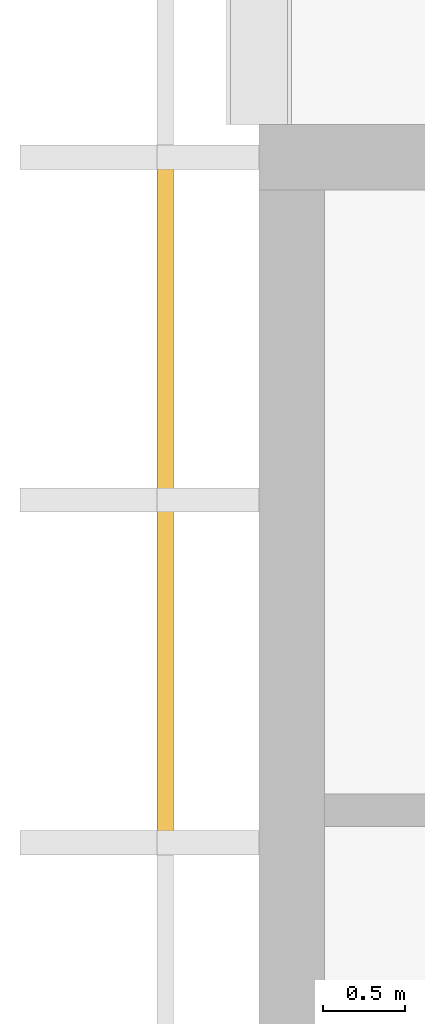
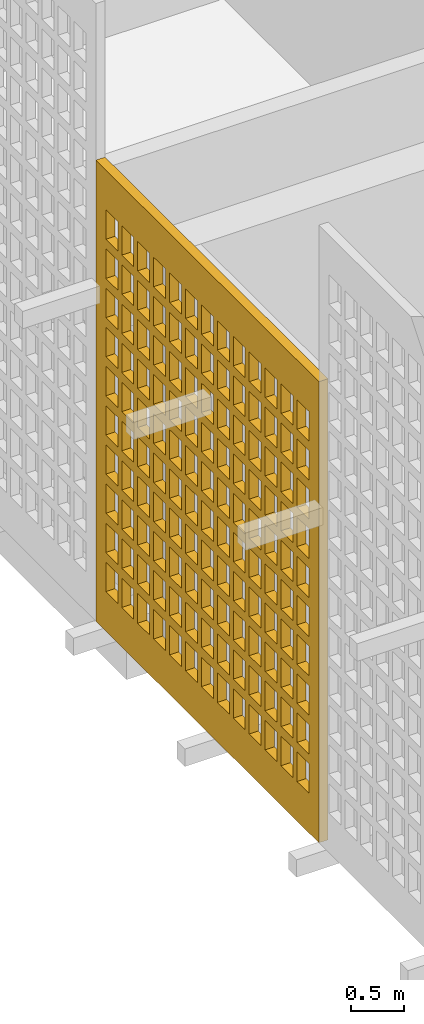
# One storey, part 15 of 23: 1 shading device, 1 opening.
"""IFC4 building model written with IfcOpenShell, lengths in metres."""

import ifcopenshell
import ifcopenshell.guid

model = None  # the IFC model being written
_history = None  # IfcOwnerHistory: only IFC2X3 demands one
_inside = {}  # id of a spatial element -> (the spatial element, [elements in it])
_under = {}  # id of a project, library or spatial element -> (it, [spatial elements below it])
_declared = {}  # id of a project -> (the project, [libraries it declares])
_typed = {}  # id of a type object -> (the type object, [elements of that type])
_made_of = {}  # id of a material, layer set ... -> (it, [elements and type objects made of it])


def new_model(schema):
    """Start an empty IFC model of exactly this schema.

    Asked for "IFC4X3", IfcOpenShell would pick the latest addendum, in which some entities
    have other attributes; the version numbers below select the first issue.
    IFC2X3 requires an IfcOwnerHistory on every rooted entity: one is made here for all.
    """
    global model, _history
    if schema == "IFC4X3":
        model = ifcopenshell.file(schema_version=(4, 3, 0, 0))
    else:
        model = ifcopenshell.file(schema=schema)
    _inside.clear()
    _under.clear()
    _declared.clear()
    _typed.clear()
    _made_of.clear()
    _history = None
    if model.schema == "IFC2X3":
        org = make("IfcOrganization", Name="unknown")
        user = make(
            "IfcPersonAndOrganization",
            ThePerson=make("IfcPerson", FamilyName="unknown"),
            TheOrganization=org,
        )
        app = make(
            "IfcApplication",
            ApplicationDeveloper=org,
            Version="unknown",
            ApplicationFullName="unknown",
            ApplicationIdentifier="unknown",
        )
        _history = make(
            "IfcOwnerHistory",
            OwningUser=user,
            OwningApplication=app,
            ChangeAction="ADDED",
            CreationDate=0,
        )
    return model


def make(cls, **values):
    """One entity of the class cls with the attributes given. An attribute that is None is left unset."""
    return model.create_entity(
        cls, **{name: value for name, value in values.items() if value is not None}
    )


def rooted(cls, **values):
    """An entity with a GlobalId (a new one), such as an element, a storey or a relation."""
    return make(cls, GlobalId=ifcopenshell.guid.new(), OwnerHistory=_history, **values)


def si_unit(unit_type, name, prefix=None):
    """IfcSIUnit, for example si_unit("LENGTHUNIT", "METRE", prefix="MILLI")."""
    return make("IfcSIUnit", UnitType=unit_type, Prefix=prefix, Name=name)


def assignment(units):
    """IfcUnitAssignment: the units of a project."""
    return None if units is None else make("IfcUnitAssignment", Units=units)


def point(xyz):
    """IfcCartesianPoint."""
    return None if xyz is None else make("IfcCartesianPoint", Coordinates=xyz)


def direction(xyz):
    """IfcDirection."""
    return None if xyz is None else make("IfcDirection", DirectionRatios=xyz)


def frame(location, z_axis=None, x_axis=None):
    """IfcAxis2Placement3D, a coordinate frame: its origin and axes. An axis left out is left unset."""
    return make(
        "IfcAxis2Placement3D",
        Location=point(location),
        Axis=direction(z_axis),
        RefDirection=direction(x_axis),
    )


def frame_2d(location, x_axis=None):
    """IfcAxis2Placement2D, a coordinate frame in the plane: its origin and x axis."""
    return make(
        "IfcAxis2Placement2D", Location=point(location), RefDirection=direction(x_axis)
    )


def origin():
    """The frame at (0, 0, 0) with its axes left unset."""
    return frame((0.0, 0.0, 0.0))


def origin_2d():
    """The frame at (0, 0) in the plane with its x axis left unset."""
    return frame_2d((0.0, 0.0))


def place(relative_to, where):
    """IfcLocalPlacement: puts the frame where relative to a parent placement (None: the world)."""
    return make(
        "IfcLocalPlacement", PlacementRelTo=relative_to, RelativePlacement=where
    )


def context(
    kind, dimensions, precision=None, world=None, true_north=None, identifier=None
):
    """IfcGeometricRepresentationContext, for example the 3D "Model" context."""
    return make(
        "IfcGeometricRepresentationContext",
        ContextIdentifier=identifier,
        ContextType=kind,
        CoordinateSpaceDimension=dimensions,
        Precision=precision,
        WorldCoordinateSystem=world,
        TrueNorth=true_north,
    )


def subcontext(parent, identifier, kind, view, scale=None):
    """IfcGeometricRepresentationSubContext, for example "Body" below "Model"."""
    return make(
        "IfcGeometricRepresentationSubContext",
        ContextIdentifier=identifier,
        ContextType=kind,
        ParentContext=parent,
        TargetScale=scale,
        TargetView=view,
    )


def project(units=None, contexts=None):
    """IfcProject with its units and contexts."""
    return rooted(
        "IfcProject",
        Name="project",
        RepresentationContexts=contexts,
        UnitsInContext=assignment(units),
    )


def spatial(cls, under=None, at=None, **own):
    """A site, building, storey or space (cls), placed at a placement, below another one or the project."""
    s = rooted(cls, ObjectPlacement=at, **own)
    if under is not None:
        _under.setdefault(under.id(), (under, []))[1].append(s)
    return s


def profile(cls, at=None, kind="AREA", **sizes):
    """A parametric profile (cls). Its sizes go by their IFC names, for example OverallWidth=200.0."""
    return make(cls, ProfileType=kind, Position=at, **sizes)


def rectangle(**sizes):
    """IfcRectangleProfileDef."""
    return profile("IfcRectangleProfileDef", **sizes)


def extrude(swept, where, along, depth):
    """IfcExtrudedAreaSolid: the profile swept, set in the frame where, extruded along a direction by depth."""
    return make(
        "IfcExtrudedAreaSolid",
        SweptArea=swept,
        Position=where,
        ExtrudedDirection=direction(along),
        Depth=depth,
    )


def shape(context_of_items, identifier, shape_type, items):
    """IfcShapeRepresentation: the items that make up one representation, for example the "Body"."""
    return make(
        "IfcShapeRepresentation",
        ContextOfItems=context_of_items,
        RepresentationIdentifier=identifier,
        RepresentationType=shape_type,
        Items=items,
    )


def material(Name=None, Category=None):
    """IfcMaterial."""
    return make("IfcMaterial", Name=Name, Category=Category)


def layer(
    of_material, thickness, ventilated=None, Name=None, Category=None, Priority=None
):
    """IfcMaterialLayer: one layer of a wall or slab, of a material (None: an air gap)."""
    return make(
        "IfcMaterialLayer",
        Material=of_material,
        LayerThickness=thickness,
        IsVentilated=ventilated,
        Name=Name,
        Category=Category,
        Priority=Priority,
    )


def layer_set(layers, Name=None):
    """IfcMaterialLayerSet."""
    return make("IfcMaterialLayerSet", MaterialLayers=layers, LayerSetName=Name)


def made_of(thing, what):
    """Note that an element or type object is made of a material, layer set ...; save() writes the relation."""
    if what is not None:
        _made_of.setdefault(what.id(), (what, []))[1].append(thing)
    return thing


def type_object(cls, material=None, **own):
    """A type object (cls), such as IfcWallType, which elements share."""
    return made_of(rooted(cls, **own), material)


def element(
    cls,
    number,
    at=None,
    inside=None,
    cuts=None,
    type_object=None,
    material=None,
    context=None,
    identifier="Body",
    shape_type=None,
    held_by="IfcProductDefinitionShape",
    body=None,
    shapes=None,
    **own,
):
    """One element of the class cls, such as IfcWall. Its Tag is "e" and its number.

    at: its placement. inside: the storey or other place that contains it. cuts: it is an
    opening in that element (IfcRelVoidsElement). A single representation is given by context,
    identifier, shape_type and body (its items); several are given by shapes. held_by: the class
    of the entity that holds the representations. save() writes the other relations.
    """
    e = rooted(cls, Tag="e%d" % number, ObjectPlacement=at, **own)
    if body is not None:
        shapes = [shape(context, identifier, shape_type, body)]
    if shapes is not None:
        e.Representation = make(held_by, Representations=shapes)
    if inside is not None:
        _inside.setdefault(inside.id(), (inside, []))[1].append(e)
    if cuts is not None:
        rooted(
            "IfcRelVoidsElement", RelatingBuildingElement=cuts, RelatedOpeningElement=e
        )
    if type_object is not None:
        _typed.setdefault(type_object.id(), (type_object, []))[1].append(e)
    return made_of(e, material)


def aggregate(whole, parts):
    """IfcRelAggregates: a whole, such as a stair, and the parts it consists of."""
    return rooted("IfcRelAggregates", RelatingObject=whole, RelatedObjects=parts)


def save(model, path):
    """Write the relations noted so far, then the file.

    IfcRelAggregates (storeys below a building ...), IfcRelContainedInSpatialStructure (elements
    in a storey), IfcRelDefinesByType, IfcRelAssociatesMaterial and IfcRelDeclares: one each for
    every whole, place, type object, material and project.
    """
    for whole, parts in _under.values():
        aggregate(whole, parts)
    for where, things in _inside.values():
        rooted(
            "IfcRelContainedInSpatialStructure",
            RelatedElements=things,
            RelatingStructure=where,
        )
    for kind, things in _typed.values():
        rooted("IfcRelDefinesByType", RelatedObjects=things, RelatingType=kind)
    for what, things in _made_of.values():
        rooted("IfcRelAssociatesMaterial", RelatedObjects=things, RelatingMaterial=what)
    for by, libraries in _declared.values():
        rooted("IfcRelDeclares", RelatingContext=by, RelatedDefinitions=libraries)
    model.write(path)


model = new_model("IFC4")

# Units and contexts
model_context = context("Model", 3, precision=1e-05, world=origin(), true_north=direction((0.0, 1.0)))
body_context = subcontext(model_context, "Body", "Model", "MODEL_VIEW")
ifc_project = project(units=[si_unit("LENGTHUNIT", "METRE"), si_unit("AREAUNIT", "SQUARE_METRE"), si_unit("VOLUMEUNIT", "CUBIC_METRE"), si_unit("PLANEANGLEUNIT", "RADIAN"), si_unit("MASSUNIT", "GRAM", prefix="KILO")], contexts=[model_context])

# Site, building, storey
site_placement = place(None, origin())
site = spatial("IfcSite", under=ifc_project, at=site_placement, CompositionType="ELEMENT")
building_placement = place(site_placement, origin())
building = spatial("IfcBuilding", under=site, at=building_placement, Name="Rulbaag Community and Learning Centre", CompositionType="ELEMENT")
storey_placement = place(building_placement, frame((0.0, 0.0, 64.800048828125)))
storey = spatial("IfcBuildingStorey", under=building, at=storey_placement, Name="L17", CompositionType="ELEMENT", Elevation=64.800048828125)

# Shading device, opening
ifc_material = material(Name="Concrete M40", Category="concrete")
ifc_layer = layer(ifc_material, 0.10009765625)
ifc_layer_set = layer_set([ifc_layer], Name="JC-4")
shading_device_type = type_object("IfcShadingDeviceType", Name="JC-4", PredefinedType="SHUTTER", material=ifc_layer_set)
shading_device_placement = place(storey_placement, frame((142.22509765625, 107.10009765625, 0.0), z_axis=(0.0, 0.0, 1.0), x_axis=(1.0, 0.0, 0.0)))
shading_device = element("IfcShadingDevice", 1, at=shading_device_placement, inside=storey, type_object=shading_device_type, Name="Jaali lantern screen", PredefinedType="SHUTTER", context=body_context, shape_type="SweptSolid", body=[
    extrude(rectangle(XDim=0.10009765625, YDim=4.199951171875, at=origin_2d()), origin(), (0.0, 0.0, 1.0), 5.300048828125),
])
opening_placement = place(shading_device_placement, origin())
element("IfcOpeningElement", 2, at=opening_placement, cuts=shading_device, Name="Perforation JC4", PredefinedType="OPENING", context=body_context, shape_type="SweptSolid", body=[
    extrude(rectangle(XDim=0.22509765625, YDim=0.340087890625, at=origin_2d()), frame((-0.06005859375, -1.800048828125, 0.625), z_axis=(1.0, 0.0, 0.0), x_axis=(0.0, 1.0, 0.0)), (0.0, 0.0, 1.0), 0.1201171875),
    extrude(rectangle(XDim=0.22509765625, YDim=0.340087890625, at=origin_2d()), frame((-0.06005859375, -1.5, 0.625), z_axis=(1.0, 0.0, 0.0), x_axis=(0.0, 1.0, 0.0)), (0.0, 0.0, 1.0), 0.1201171875),
    extrude(rectangle(XDim=0.22509765625, YDim=0.340087890625, at=origin_2d()), frame((-0.06005859375, -1.199951171875, 0.625), z_axis=(1.0, 0.0, 0.0), x_axis=(0.0, 1.0, 0.0)), (0.0, 0.0, 1.0), 0.1201171875),
    extrude(rectangle(XDim=0.22509765625, YDim=0.340087890625, at=origin_2d()), frame((-0.06005859375, -0.89990234375, 0.625), z_axis=(1.0, 0.0, 0.0), x_axis=(0.0, 1.0, 0.0)), (0.0, 0.0, 1.0), 0.1201171875),
    extrude(rectangle(XDim=0.22509765625, YDim=0.340087890625, at=origin_2d()), frame((-0.06005859375, -0.60009765625, 0.625), z_axis=(1.0, 0.0, 0.0), x_axis=(0.0, 1.0, 0.0)), (0.0, 0.0, 1.0), 0.1201171875),
    extrude(rectangle(XDim=0.22509765625, YDim=0.340087890625, at=origin_2d()), frame((-0.06005859375, -0.300048828125, 0.625), z_axis=(1.0, 0.0, 0.0), x_axis=(0.0, 1.0, 0.0)), (0.0, 0.0, 1.0), 0.1201171875),
    extrude(rectangle(XDim=0.22509765625, YDim=0.340087890625, at=origin_2d()), frame((-0.06005859375, 0.0, 0.625), z_axis=(1.0, 0.0, 0.0), x_axis=(0.0, 1.0, 0.0)), (0.0, 0.0, 1.0), 0.1201171875),
    extrude(rectangle(XDim=0.22509765625, YDim=0.340087890625, at=origin_2d()), frame((-0.06005859375, 0.300048828125, 0.625), z_axis=(1.0, 0.0, 0.0), x_axis=(0.0, 1.0, 0.0)), (0.0, 0.0, 1.0), 0.1201171875),
    extrude(rectangle(XDim=0.22509765625, YDim=0.340087890625, at=origin_2d()), frame((-0.06005859375, 0.60009765625, 0.625), z_axis=(1.0, 0.0, 0.0), x_axis=(0.0, 1.0, 0.0)), (0.0, 0.0, 1.0), 0.1201171875),
    extrude(rectangle(XDim=0.22509765625, YDim=0.340087890625, at=origin_2d()), frame((-0.06005859375, 0.89990234375, 0.625), z_axis=(1.0, 0.0, 0.0), x_axis=(0.0, 1.0, 0.0)), (0.0, 0.0, 1.0), 0.1201171875),
    extrude(rectangle(XDim=0.22509765625, YDim=0.340087890625, at=origin_2d()), frame((-0.06005859375, 1.199951171875, 0.625), z_axis=(1.0, 0.0, 0.0), x_axis=(0.0, 1.0, 0.0)), (0.0, 0.0, 1.0), 0.1201171875),
    extrude(rectangle(XDim=0.22509765625, YDim=0.340087890625, at=origin_2d()), frame((-0.06005859375, 1.5, 0.625), z_axis=(1.0, 0.0, 0.0), x_axis=(0.0, 1.0, 0.0)), (0.0, 0.0, 1.0), 0.1201171875),
    extrude(rectangle(XDim=0.22509765625, YDim=0.340087890625, at=origin_2d()), frame((-0.06005859375, 1.800048828125, 0.625), z_axis=(1.0, 0.0, 0.0), x_axis=(0.0, 1.0, 0.0)), (0.0, 0.0, 1.0), 0.1201171875),
    extrude(rectangle(XDim=0.22509765625, YDim=0.340087890625, at=origin_2d()), frame((-0.06005859375, -1.800048828125, 1.074951171875), z_axis=(1.0, 0.0, 0.0), x_axis=(0.0, 1.0, 0.0)), (0.0, 0.0, 1.0), 0.1201171875),
    extrude(rectangle(XDim=0.22509765625, YDim=0.340087890625, at=origin_2d()), frame((-0.06005859375, -1.5, 1.074951171875), z_axis=(1.0, 0.0, 0.0), x_axis=(0.0, 1.0, 0.0)), (0.0, 0.0, 1.0), 0.1201171875),
    extrude(rectangle(XDim=0.22509765625, YDim=0.340087890625, at=origin_2d()), frame((-0.06005859375, -1.199951171875, 1.074951171875), z_axis=(1.0, 0.0, 0.0), x_axis=(0.0, 1.0, 0.0)), (0.0, 0.0, 1.0), 0.1201171875),
    extrude(rectangle(XDim=0.22509765625, YDim=0.340087890625, at=origin_2d()), frame((-0.06005859375, -0.89990234375, 1.074951171875), z_axis=(1.0, 0.0, 0.0), x_axis=(0.0, 1.0, 0.0)), (0.0, 0.0, 1.0), 0.1201171875),
    extrude(rectangle(XDim=0.22509765625, YDim=0.340087890625, at=origin_2d()), frame((-0.06005859375, -0.60009765625, 1.074951171875), z_axis=(1.0, 0.0, 0.0), x_axis=(0.0, 1.0, 0.0)), (0.0, 0.0, 1.0), 0.1201171875),
    extrude(rectangle(XDim=0.22509765625, YDim=0.340087890625, at=origin_2d()), frame((-0.06005859375, -0.300048828125, 1.074951171875), z_axis=(1.0, 0.0, 0.0), x_axis=(0.0, 1.0, 0.0)), (0.0, 0.0, 1.0), 0.1201171875),
    extrude(rectangle(XDim=0.22509765625, YDim=0.340087890625, at=origin_2d()), frame((-0.06005859375, 0.0, 1.074951171875), z_axis=(1.0, 0.0, 0.0), x_axis=(0.0, 1.0, 0.0)), (0.0, 0.0, 1.0), 0.1201171875),
    extrude(rectangle(XDim=0.22509765625, YDim=0.340087890625, at=origin_2d()), frame((-0.06005859375, 0.300048828125, 1.074951171875), z_axis=(1.0, 0.0, 0.0), x_axis=(0.0, 1.0, 0.0)), (0.0, 0.0, 1.0), 0.1201171875),
    extrude(rectangle(XDim=0.22509765625, YDim=0.340087890625, at=origin_2d()), frame((-0.06005859375, 0.60009765625, 1.074951171875), z_axis=(1.0, 0.0, 0.0), x_axis=(0.0, 1.0, 0.0)), (0.0, 0.0, 1.0), 0.1201171875),
    extrude(rectangle(XDim=0.22509765625, YDim=0.340087890625, at=origin_2d()), frame((-0.06005859375, 0.89990234375, 1.074951171875), z_axis=(1.0, 0.0, 0.0), x_axis=(0.0, 1.0, 0.0)), (0.0, 0.0, 1.0), 0.1201171875),
    extrude(rectangle(XDim=0.22509765625, YDim=0.340087890625, at=origin_2d()), frame((-0.06005859375, 1.199951171875, 1.074951171875), z_axis=(1.0, 0.0, 0.0), x_axis=(0.0, 1.0, 0.0)), (0.0, 0.0, 1.0), 0.1201171875),
    extrude(rectangle(XDim=0.22509765625, YDim=0.340087890625, at=origin_2d()), frame((-0.06005859375, 1.5, 1.074951171875), z_axis=(1.0, 0.0, 0.0), x_axis=(0.0, 1.0, 0.0)), (0.0, 0.0, 1.0), 0.1201171875),
    extrude(rectangle(XDim=0.22509765625, YDim=0.340087890625, at=origin_2d()), frame((-0.06005859375, 1.800048828125, 1.074951171875), z_axis=(1.0, 0.0, 0.0), x_axis=(0.0, 1.0, 0.0)), (0.0, 0.0, 1.0), 0.1201171875),
    extrude(rectangle(XDim=0.22509765625, YDim=0.340087890625, at=origin_2d()), frame((-0.06005859375, -1.800048828125, 1.52490234375), z_axis=(1.0, 0.0, 0.0), x_axis=(0.0, 1.0, 0.0)), (0.0, 0.0, 1.0), 0.1201171875),
    extrude(rectangle(XDim=0.22509765625, YDim=0.340087890625, at=origin_2d()), frame((-0.06005859375, -1.5, 1.52490234375), z_axis=(1.0, 0.0, 0.0), x_axis=(0.0, 1.0, 0.0)), (0.0, 0.0, 1.0), 0.1201171875),
    extrude(rectangle(XDim=0.22509765625, YDim=0.340087890625, at=origin_2d()), frame((-0.06005859375, -1.199951171875, 1.52490234375), z_axis=(1.0, 0.0, 0.0), x_axis=(0.0, 1.0, 0.0)), (0.0, 0.0, 1.0), 0.1201171875),
    extrude(rectangle(XDim=0.22509765625, YDim=0.340087890625, at=origin_2d()), frame((-0.06005859375, -0.89990234375, 1.52490234375), z_axis=(1.0, 0.0, 0.0), x_axis=(0.0, 1.0, 0.0)), (0.0, 0.0, 1.0), 0.1201171875),
    extrude(rectangle(XDim=0.22509765625, YDim=0.340087890625, at=origin_2d()), frame((-0.06005859375, -0.60009765625, 1.52490234375), z_axis=(1.0, 0.0, 0.0), x_axis=(0.0, 1.0, 0.0)), (0.0, 0.0, 1.0), 0.1201171875),
    extrude(rectangle(XDim=0.22509765625, YDim=0.340087890625, at=origin_2d()), frame((-0.06005859375, -0.300048828125, 1.52490234375), z_axis=(1.0, 0.0, 0.0), x_axis=(0.0, 1.0, 0.0)), (0.0, 0.0, 1.0), 0.1201171875),
    extrude(rectangle(XDim=0.22509765625, YDim=0.340087890625, at=origin_2d()), frame((-0.06005859375, 0.0, 1.52490234375), z_axis=(1.0, 0.0, 0.0), x_axis=(0.0, 1.0, 0.0)), (0.0, 0.0, 1.0), 0.1201171875),
    extrude(rectangle(XDim=0.22509765625, YDim=0.340087890625, at=origin_2d()), frame((-0.06005859375, 0.300048828125, 1.52490234375), z_axis=(1.0, 0.0, 0.0), x_axis=(0.0, 1.0, 0.0)), (0.0, 0.0, 1.0), 0.1201171875),
    extrude(rectangle(XDim=0.22509765625, YDim=0.340087890625, at=origin_2d()), frame((-0.06005859375, 0.60009765625, 1.52490234375), z_axis=(1.0, 0.0, 0.0), x_axis=(0.0, 1.0, 0.0)), (0.0, 0.0, 1.0), 0.1201171875),
    extrude(rectangle(XDim=0.22509765625, YDim=0.340087890625, at=origin_2d()), frame((-0.06005859375, 0.89990234375, 1.52490234375), z_axis=(1.0, 0.0, 0.0), x_axis=(0.0, 1.0, 0.0)), (0.0, 0.0, 1.0), 0.1201171875),
    extrude(rectangle(XDim=0.22509765625, YDim=0.340087890625, at=origin_2d()), frame((-0.06005859375, 1.199951171875, 1.52490234375), z_axis=(1.0, 0.0, 0.0), x_axis=(0.0, 1.0, 0.0)), (0.0, 0.0, 1.0), 0.1201171875),
    extrude(rectangle(XDim=0.22509765625, YDim=0.340087890625, at=origin_2d()), frame((-0.06005859375, 1.5, 1.52490234375), z_axis=(1.0, 0.0, 0.0), x_axis=(0.0, 1.0, 0.0)), (0.0, 0.0, 1.0), 0.1201171875),
    extrude(rectangle(XDim=0.22509765625, YDim=0.340087890625, at=origin_2d()), frame((-0.06005859375, 1.800048828125, 1.52490234375), z_axis=(1.0, 0.0, 0.0), x_axis=(0.0, 1.0, 0.0)), (0.0, 0.0, 1.0), 0.1201171875),
    extrude(rectangle(XDim=0.22509765625, YDim=0.340087890625, at=origin_2d()), frame((-0.06005859375, -1.800048828125, 1.97509765625), z_axis=(1.0, 0.0, 0.0), x_axis=(0.0, 1.0, 0.0)), (0.0, 0.0, 1.0), 0.1201171875),
    extrude(rectangle(XDim=0.22509765625, YDim=0.340087890625, at=origin_2d()), frame((-0.06005859375, -1.5, 1.97509765625), z_axis=(1.0, 0.0, 0.0), x_axis=(0.0, 1.0, 0.0)), (0.0, 0.0, 1.0), 0.1201171875),
    extrude(rectangle(XDim=0.22509765625, YDim=0.340087890625, at=origin_2d()), frame((-0.06005859375, -1.199951171875, 1.97509765625), z_axis=(1.0, 0.0, 0.0), x_axis=(0.0, 1.0, 0.0)), (0.0, 0.0, 1.0), 0.1201171875),
    extrude(rectangle(XDim=0.22509765625, YDim=0.340087890625, at=origin_2d()), frame((-0.06005859375, -0.89990234375, 1.97509765625), z_axis=(1.0, 0.0, 0.0), x_axis=(0.0, 1.0, 0.0)), (0.0, 0.0, 1.0), 0.1201171875),
    extrude(rectangle(XDim=0.22509765625, YDim=0.340087890625, at=origin_2d()), frame((-0.06005859375, -0.60009765625, 1.97509765625), z_axis=(1.0, 0.0, 0.0), x_axis=(0.0, 1.0, 0.0)), (0.0, 0.0, 1.0), 0.1201171875),
    extrude(rectangle(XDim=0.22509765625, YDim=0.340087890625, at=origin_2d()), frame((-0.06005859375, -0.300048828125, 1.97509765625), z_axis=(1.0, 0.0, 0.0), x_axis=(0.0, 1.0, 0.0)), (0.0, 0.0, 1.0), 0.1201171875),
    extrude(rectangle(XDim=0.22509765625, YDim=0.340087890625, at=origin_2d()), frame((-0.06005859375, 0.0, 1.97509765625), z_axis=(1.0, 0.0, 0.0), x_axis=(0.0, 1.0, 0.0)), (0.0, 0.0, 1.0), 0.1201171875),
    extrude(rectangle(XDim=0.22509765625, YDim=0.340087890625, at=origin_2d()), frame((-0.06005859375, 0.300048828125, 1.97509765625), z_axis=(1.0, 0.0, 0.0), x_axis=(0.0, 1.0, 0.0)), (0.0, 0.0, 1.0), 0.1201171875),
    extrude(rectangle(XDim=0.22509765625, YDim=0.340087890625, at=origin_2d()), frame((-0.06005859375, 0.60009765625, 1.97509765625), z_axis=(1.0, 0.0, 0.0), x_axis=(0.0, 1.0, 0.0)), (0.0, 0.0, 1.0), 0.1201171875),
    extrude(rectangle(XDim=0.22509765625, YDim=0.340087890625, at=origin_2d()), frame((-0.06005859375, 0.89990234375, 1.97509765625), z_axis=(1.0, 0.0, 0.0), x_axis=(0.0, 1.0, 0.0)), (0.0, 0.0, 1.0), 0.1201171875),
    extrude(rectangle(XDim=0.22509765625, YDim=0.340087890625, at=origin_2d()), frame((-0.06005859375, 1.199951171875, 1.97509765625), z_axis=(1.0, 0.0, 0.0), x_axis=(0.0, 1.0, 0.0)), (0.0, 0.0, 1.0), 0.1201171875),
    extrude(rectangle(XDim=0.22509765625, YDim=0.340087890625, at=origin_2d()), frame((-0.06005859375, 1.5, 1.97509765625), z_axis=(1.0, 0.0, 0.0), x_axis=(0.0, 1.0, 0.0)), (0.0, 0.0, 1.0), 0.1201171875),
    extrude(rectangle(XDim=0.22509765625, YDim=0.340087890625, at=origin_2d()), frame((-0.06005859375, 1.800048828125, 1.97509765625), z_axis=(1.0, 0.0, 0.0), x_axis=(0.0, 1.0, 0.0)), (0.0, 0.0, 1.0), 0.1201171875),
    extrude(rectangle(XDim=0.22509765625, YDim=0.340087890625, at=origin_2d()), frame((-0.06005859375, -1.800048828125, 2.425048828125), z_axis=(1.0, 0.0, 0.0), x_axis=(0.0, 1.0, 0.0)), (0.0, 0.0, 1.0), 0.1201171875),
    extrude(rectangle(XDim=0.22509765625, YDim=0.340087890625, at=origin_2d()), frame((-0.06005859375, -1.5, 2.425048828125), z_axis=(1.0, 0.0, 0.0), x_axis=(0.0, 1.0, 0.0)), (0.0, 0.0, 1.0), 0.1201171875),
    extrude(rectangle(XDim=0.22509765625, YDim=0.340087890625, at=origin_2d()), frame((-0.06005859375, -1.199951171875, 2.425048828125), z_axis=(1.0, 0.0, 0.0), x_axis=(0.0, 1.0, 0.0)), (0.0, 0.0, 1.0), 0.1201171875),
    extrude(rectangle(XDim=0.22509765625, YDim=0.340087890625, at=origin_2d()), frame((-0.06005859375, -0.89990234375, 2.425048828125), z_axis=(1.0, 0.0, 0.0), x_axis=(0.0, 1.0, 0.0)), (0.0, 0.0, 1.0), 0.1201171875),
    extrude(rectangle(XDim=0.22509765625, YDim=0.340087890625, at=origin_2d()), frame((-0.06005859375, -0.60009765625, 2.425048828125), z_axis=(1.0, 0.0, 0.0), x_axis=(0.0, 1.0, 0.0)), (0.0, 0.0, 1.0), 0.1201171875),
    extrude(rectangle(XDim=0.22509765625, YDim=0.340087890625, at=origin_2d()), frame((-0.06005859375, -0.300048828125, 2.425048828125), z_axis=(1.0, 0.0, 0.0), x_axis=(0.0, 1.0, 0.0)), (0.0, 0.0, 1.0), 0.1201171875),
    extrude(rectangle(XDim=0.22509765625, YDim=0.340087890625, at=origin_2d()), frame((-0.06005859375, 0.0, 2.425048828125), z_axis=(1.0, 0.0, 0.0), x_axis=(0.0, 1.0, 0.0)), (0.0, 0.0, 1.0), 0.1201171875),
    extrude(rectangle(XDim=0.22509765625, YDim=0.340087890625, at=origin_2d()), frame((-0.06005859375, 0.300048828125, 2.425048828125), z_axis=(1.0, 0.0, 0.0), x_axis=(0.0, 1.0, 0.0)), (0.0, 0.0, 1.0), 0.1201171875),
    extrude(rectangle(XDim=0.22509765625, YDim=0.340087890625, at=origin_2d()), frame((-0.06005859375, 0.60009765625, 2.425048828125), z_axis=(1.0, 0.0, 0.0), x_axis=(0.0, 1.0, 0.0)), (0.0, 0.0, 1.0), 0.1201171875),
    extrude(rectangle(XDim=0.22509765625, YDim=0.340087890625, at=origin_2d()), frame((-0.06005859375, 0.89990234375, 2.425048828125), z_axis=(1.0, 0.0, 0.0), x_axis=(0.0, 1.0, 0.0)), (0.0, 0.0, 1.0), 0.1201171875),
    extrude(rectangle(XDim=0.22509765625, YDim=0.340087890625, at=origin_2d()), frame((-0.06005859375, 1.199951171875, 2.425048828125), z_axis=(1.0, 0.0, 0.0), x_axis=(0.0, 1.0, 0.0)), (0.0, 0.0, 1.0), 0.1201171875),
    extrude(rectangle(XDim=0.22509765625, YDim=0.340087890625, at=origin_2d()), frame((-0.06005859375, 1.5, 2.425048828125), z_axis=(1.0, 0.0, 0.0), x_axis=(0.0, 1.0, 0.0)), (0.0, 0.0, 1.0), 0.1201171875),
    extrude(rectangle(XDim=0.22509765625, YDim=0.340087890625, at=origin_2d()), frame((-0.06005859375, 1.800048828125, 2.425048828125), z_axis=(1.0, 0.0, 0.0), x_axis=(0.0, 1.0, 0.0)), (0.0, 0.0, 1.0), 0.1201171875),
    extrude(rectangle(XDim=0.22509765625, YDim=0.340087890625, at=origin_2d()), frame((-0.06005859375, -1.800048828125, 2.875), z_axis=(1.0, 0.0, 0.0), x_axis=(0.0, 1.0, 0.0)), (0.0, 0.0, 1.0), 0.1201171875),
    extrude(rectangle(XDim=0.22509765625, YDim=0.340087890625, at=origin_2d()), frame((-0.06005859375, -1.5, 2.875), z_axis=(1.0, 0.0, 0.0), x_axis=(0.0, 1.0, 0.0)), (0.0, 0.0, 1.0), 0.1201171875),
    extrude(rectangle(XDim=0.22509765625, YDim=0.340087890625, at=origin_2d()), frame((-0.06005859375, -1.199951171875, 2.875), z_axis=(1.0, 0.0, 0.0), x_axis=(0.0, 1.0, 0.0)), (0.0, 0.0, 1.0), 0.1201171875),
    extrude(rectangle(XDim=0.22509765625, YDim=0.340087890625, at=origin_2d()), frame((-0.06005859375, -0.89990234375, 2.875), z_axis=(1.0, 0.0, 0.0), x_axis=(0.0, 1.0, 0.0)), (0.0, 0.0, 1.0), 0.1201171875),
    extrude(rectangle(XDim=0.22509765625, YDim=0.340087890625, at=origin_2d()), frame((-0.06005859375, -0.60009765625, 2.875), z_axis=(1.0, 0.0, 0.0), x_axis=(0.0, 1.0, 0.0)), (0.0, 0.0, 1.0), 0.1201171875),
    extrude(rectangle(XDim=0.22509765625, YDim=0.340087890625, at=origin_2d()), frame((-0.06005859375, -0.300048828125, 2.875), z_axis=(1.0, 0.0, 0.0), x_axis=(0.0, 1.0, 0.0)), (0.0, 0.0, 1.0), 0.1201171875),
    extrude(rectangle(XDim=0.22509765625, YDim=0.340087890625, at=origin_2d()), frame((-0.06005859375, 0.0, 2.875), z_axis=(1.0, 0.0, 0.0), x_axis=(0.0, 1.0, 0.0)), (0.0, 0.0, 1.0), 0.1201171875),
    extrude(rectangle(XDim=0.22509765625, YDim=0.340087890625, at=origin_2d()), frame((-0.06005859375, 0.300048828125, 2.875), z_axis=(1.0, 0.0, 0.0), x_axis=(0.0, 1.0, 0.0)), (0.0, 0.0, 1.0), 0.1201171875),
    extrude(rectangle(XDim=0.22509765625, YDim=0.340087890625, at=origin_2d()), frame((-0.06005859375, 0.60009765625, 2.875), z_axis=(1.0, 0.0, 0.0), x_axis=(0.0, 1.0, 0.0)), (0.0, 0.0, 1.0), 0.1201171875),
    extrude(rectangle(XDim=0.22509765625, YDim=0.340087890625, at=origin_2d()), frame((-0.06005859375, 0.89990234375, 2.875), z_axis=(1.0, 0.0, 0.0), x_axis=(0.0, 1.0, 0.0)), (0.0, 0.0, 1.0), 0.1201171875),
    extrude(rectangle(XDim=0.22509765625, YDim=0.340087890625, at=origin_2d()), frame((-0.06005859375, 1.199951171875, 2.875), z_axis=(1.0, 0.0, 0.0), x_axis=(0.0, 1.0, 0.0)), (0.0, 0.0, 1.0), 0.1201171875),
    extrude(rectangle(XDim=0.22509765625, YDim=0.340087890625, at=origin_2d()), frame((-0.06005859375, 1.5, 2.875), z_axis=(1.0, 0.0, 0.0), x_axis=(0.0, 1.0, 0.0)), (0.0, 0.0, 1.0), 0.1201171875),
    extrude(rectangle(XDim=0.22509765625, YDim=0.340087890625, at=origin_2d()), frame((-0.06005859375, 1.800048828125, 2.875), z_axis=(1.0, 0.0, 0.0), x_axis=(0.0, 1.0, 0.0)), (0.0, 0.0, 1.0), 0.1201171875),
    extrude(rectangle(XDim=0.22509765625, YDim=0.340087890625, at=origin_2d()), frame((-0.06005859375, -1.800048828125, 3.324951171875), z_axis=(1.0, 0.0, 0.0), x_axis=(0.0, 1.0, 0.0)), (0.0, 0.0, 1.0), 0.1201171875),
    extrude(rectangle(XDim=0.22509765625, YDim=0.340087890625, at=origin_2d()), frame((-0.06005859375, -1.5, 3.324951171875), z_axis=(1.0, 0.0, 0.0), x_axis=(0.0, 1.0, 0.0)), (0.0, 0.0, 1.0), 0.1201171875),
    extrude(rectangle(XDim=0.22509765625, YDim=0.340087890625, at=origin_2d()), frame((-0.06005859375, -1.199951171875, 3.324951171875), z_axis=(1.0, 0.0, 0.0), x_axis=(0.0, 1.0, 0.0)), (0.0, 0.0, 1.0), 0.1201171875),
    extrude(rectangle(XDim=0.22509765625, YDim=0.340087890625, at=origin_2d()), frame((-0.06005859375, -0.89990234375, 3.324951171875), z_axis=(1.0, 0.0, 0.0), x_axis=(0.0, 1.0, 0.0)), (0.0, 0.0, 1.0), 0.1201171875),
    extrude(rectangle(XDim=0.22509765625, YDim=0.340087890625, at=origin_2d()), frame((-0.06005859375, -0.60009765625, 3.324951171875), z_axis=(1.0, 0.0, 0.0), x_axis=(0.0, 1.0, 0.0)), (0.0, 0.0, 1.0), 0.1201171875),
    extrude(rectangle(XDim=0.22509765625, YDim=0.340087890625, at=origin_2d()), frame((-0.06005859375, -0.300048828125, 3.324951171875), z_axis=(1.0, 0.0, 0.0), x_axis=(0.0, 1.0, 0.0)), (0.0, 0.0, 1.0), 0.1201171875),
    extrude(rectangle(XDim=0.22509765625, YDim=0.340087890625, at=origin_2d()), frame((-0.06005859375, 0.0, 3.324951171875), z_axis=(1.0, 0.0, 0.0), x_axis=(0.0, 1.0, 0.0)), (0.0, 0.0, 1.0), 0.1201171875),
    extrude(rectangle(XDim=0.22509765625, YDim=0.340087890625, at=origin_2d()), frame((-0.06005859375, 0.300048828125, 3.324951171875), z_axis=(1.0, 0.0, 0.0), x_axis=(0.0, 1.0, 0.0)), (0.0, 0.0, 1.0), 0.1201171875),
    extrude(rectangle(XDim=0.22509765625, YDim=0.340087890625, at=origin_2d()), frame((-0.06005859375, 0.60009765625, 3.324951171875), z_axis=(1.0, 0.0, 0.0), x_axis=(0.0, 1.0, 0.0)), (0.0, 0.0, 1.0), 0.1201171875),
    extrude(rectangle(XDim=0.22509765625, YDim=0.340087890625, at=origin_2d()), frame((-0.06005859375, 0.89990234375, 3.324951171875), z_axis=(1.0, 0.0, 0.0), x_axis=(0.0, 1.0, 0.0)), (0.0, 0.0, 1.0), 0.1201171875),
    extrude(rectangle(XDim=0.22509765625, YDim=0.340087890625, at=origin_2d()), frame((-0.06005859375, 1.199951171875, 3.324951171875), z_axis=(1.0, 0.0, 0.0), x_axis=(0.0, 1.0, 0.0)), (0.0, 0.0, 1.0), 0.1201171875),
    extrude(rectangle(XDim=0.22509765625, YDim=0.340087890625, at=origin_2d()), frame((-0.06005859375, 1.5, 3.324951171875), z_axis=(1.0, 0.0, 0.0), x_axis=(0.0, 1.0, 0.0)), (0.0, 0.0, 1.0), 0.1201171875),
    extrude(rectangle(XDim=0.22509765625, YDim=0.340087890625, at=origin_2d()), frame((-0.06005859375, 1.800048828125, 3.324951171875), z_axis=(1.0, 0.0, 0.0), x_axis=(0.0, 1.0, 0.0)), (0.0, 0.0, 1.0), 0.1201171875),
    extrude(rectangle(XDim=0.22509765625, YDim=0.340087890625, at=origin_2d()), frame((-0.06005859375, -1.800048828125, 3.77490234375), z_axis=(1.0, 0.0, 0.0), x_axis=(0.0, 1.0, 0.0)), (0.0, 0.0, 1.0), 0.1201171875),
    extrude(rectangle(XDim=0.22509765625, YDim=0.340087890625, at=origin_2d()), frame((-0.06005859375, -1.5, 3.77490234375), z_axis=(1.0, 0.0, 0.0), x_axis=(0.0, 1.0, 0.0)), (0.0, 0.0, 1.0), 0.1201171875),
    extrude(rectangle(XDim=0.22509765625, YDim=0.340087890625, at=origin_2d()), frame((-0.06005859375, -1.199951171875, 3.77490234375), z_axis=(1.0, 0.0, 0.0), x_axis=(0.0, 1.0, 0.0)), (0.0, 0.0, 1.0), 0.1201171875),
    extrude(rectangle(XDim=0.22509765625, YDim=0.340087890625, at=origin_2d()), frame((-0.06005859375, -0.89990234375, 3.77490234375), z_axis=(1.0, 0.0, 0.0), x_axis=(0.0, 1.0, 0.0)), (0.0, 0.0, 1.0), 0.1201171875),
    extrude(rectangle(XDim=0.22509765625, YDim=0.340087890625, at=origin_2d()), frame((-0.06005859375, -0.60009765625, 3.77490234375), z_axis=(1.0, 0.0, 0.0), x_axis=(0.0, 1.0, 0.0)), (0.0, 0.0, 1.0), 0.1201171875),
    extrude(rectangle(XDim=0.22509765625, YDim=0.340087890625, at=origin_2d()), frame((-0.06005859375, -0.300048828125, 3.77490234375), z_axis=(1.0, 0.0, 0.0), x_axis=(0.0, 1.0, 0.0)), (0.0, 0.0, 1.0), 0.1201171875),
    extrude(rectangle(XDim=0.22509765625, YDim=0.340087890625, at=origin_2d()), frame((-0.06005859375, 0.0, 3.77490234375), z_axis=(1.0, 0.0, 0.0), x_axis=(0.0, 1.0, 0.0)), (0.0, 0.0, 1.0), 0.1201171875),
    extrude(rectangle(XDim=0.22509765625, YDim=0.340087890625, at=origin_2d()), frame((-0.06005859375, 0.300048828125, 3.77490234375), z_axis=(1.0, 0.0, 0.0), x_axis=(0.0, 1.0, 0.0)), (0.0, 0.0, 1.0), 0.1201171875),
    extrude(rectangle(XDim=0.22509765625, YDim=0.340087890625, at=origin_2d()), frame((-0.06005859375, 0.60009765625, 3.77490234375), z_axis=(1.0, 0.0, 0.0), x_axis=(0.0, 1.0, 0.0)), (0.0, 0.0, 1.0), 0.1201171875),
    extrude(rectangle(XDim=0.22509765625, YDim=0.340087890625, at=origin_2d()), frame((-0.06005859375, 0.89990234375, 3.77490234375), z_axis=(1.0, 0.0, 0.0), x_axis=(0.0, 1.0, 0.0)), (0.0, 0.0, 1.0), 0.1201171875),
    extrude(rectangle(XDim=0.22509765625, YDim=0.340087890625, at=origin_2d()), frame((-0.06005859375, 1.199951171875, 3.77490234375), z_axis=(1.0, 0.0, 0.0), x_axis=(0.0, 1.0, 0.0)), (0.0, 0.0, 1.0), 0.1201171875),
    extrude(rectangle(XDim=0.22509765625, YDim=0.340087890625, at=origin_2d()), frame((-0.06005859375, 1.5, 3.77490234375), z_axis=(1.0, 0.0, 0.0), x_axis=(0.0, 1.0, 0.0)), (0.0, 0.0, 1.0), 0.1201171875),
    extrude(rectangle(XDim=0.22509765625, YDim=0.340087890625, at=origin_2d()), frame((-0.06005859375, 1.800048828125, 3.77490234375), z_axis=(1.0, 0.0, 0.0), x_axis=(0.0, 1.0, 0.0)), (0.0, 0.0, 1.0), 0.1201171875),
    extrude(rectangle(XDim=0.22509765625, YDim=0.340087890625, at=origin_2d()), frame((-0.06005859375, -1.800048828125, 4.22509765625), z_axis=(1.0, 0.0, 0.0), x_axis=(0.0, 1.0, 0.0)), (0.0, 0.0, 1.0), 0.1201171875),
    extrude(rectangle(XDim=0.22509765625, YDim=0.340087890625, at=origin_2d()), frame((-0.06005859375, -1.5, 4.22509765625), z_axis=(1.0, 0.0, 0.0), x_axis=(0.0, 1.0, 0.0)), (0.0, 0.0, 1.0), 0.1201171875),
    extrude(rectangle(XDim=0.22509765625, YDim=0.340087890625, at=origin_2d()), frame((-0.06005859375, -1.199951171875, 4.22509765625), z_axis=(1.0, 0.0, 0.0), x_axis=(0.0, 1.0, 0.0)), (0.0, 0.0, 1.0), 0.1201171875),
    extrude(rectangle(XDim=0.22509765625, YDim=0.340087890625, at=origin_2d()), frame((-0.06005859375, -0.89990234375, 4.22509765625), z_axis=(1.0, 0.0, 0.0), x_axis=(0.0, 1.0, 0.0)), (0.0, 0.0, 1.0), 0.1201171875),
    extrude(rectangle(XDim=0.22509765625, YDim=0.340087890625, at=origin_2d()), frame((-0.06005859375, -0.60009765625, 4.22509765625), z_axis=(1.0, 0.0, 0.0), x_axis=(0.0, 1.0, 0.0)), (0.0, 0.0, 1.0), 0.1201171875),
    extrude(rectangle(XDim=0.22509765625, YDim=0.340087890625, at=origin_2d()), frame((-0.06005859375, -0.300048828125, 4.22509765625), z_axis=(1.0, 0.0, 0.0), x_axis=(0.0, 1.0, 0.0)), (0.0, 0.0, 1.0), 0.1201171875),
    extrude(rectangle(XDim=0.22509765625, YDim=0.340087890625, at=origin_2d()), frame((-0.06005859375, 0.0, 4.22509765625), z_axis=(1.0, 0.0, 0.0), x_axis=(0.0, 1.0, 0.0)), (0.0, 0.0, 1.0), 0.1201171875),
    extrude(rectangle(XDim=0.22509765625, YDim=0.340087890625, at=origin_2d()), frame((-0.06005859375, 0.300048828125, 4.22509765625), z_axis=(1.0, 0.0, 0.0), x_axis=(0.0, 1.0, 0.0)), (0.0, 0.0, 1.0), 0.1201171875),
    extrude(rectangle(XDim=0.22509765625, YDim=0.340087890625, at=origin_2d()), frame((-0.06005859375, 0.60009765625, 4.22509765625), z_axis=(1.0, 0.0, 0.0), x_axis=(0.0, 1.0, 0.0)), (0.0, 0.0, 1.0), 0.1201171875),
    extrude(rectangle(XDim=0.22509765625, YDim=0.340087890625, at=origin_2d()), frame((-0.06005859375, 0.89990234375, 4.22509765625), z_axis=(1.0, 0.0, 0.0), x_axis=(0.0, 1.0, 0.0)), (0.0, 0.0, 1.0), 0.1201171875),
    extrude(rectangle(XDim=0.22509765625, YDim=0.340087890625, at=origin_2d()), frame((-0.06005859375, 1.199951171875, 4.22509765625), z_axis=(1.0, 0.0, 0.0), x_axis=(0.0, 1.0, 0.0)), (0.0, 0.0, 1.0), 0.1201171875),
    extrude(rectangle(XDim=0.22509765625, YDim=0.340087890625, at=origin_2d()), frame((-0.06005859375, 1.5, 4.22509765625), z_axis=(1.0, 0.0, 0.0), x_axis=(0.0, 1.0, 0.0)), (0.0, 0.0, 1.0), 0.1201171875),
    extrude(rectangle(XDim=0.22509765625, YDim=0.340087890625, at=origin_2d()), frame((-0.06005859375, 1.800048828125, 4.22509765625), z_axis=(1.0, 0.0, 0.0), x_axis=(0.0, 1.0, 0.0)), (0.0, 0.0, 1.0), 0.1201171875),
    extrude(rectangle(XDim=0.22509765625, YDim=0.340087890625, at=origin_2d()), frame((-0.06005859375, -1.800048828125, 4.675048828125), z_axis=(1.0, 0.0, 0.0), x_axis=(0.0, 1.0, 0.0)), (0.0, 0.0, 1.0), 0.1201171875),
    extrude(rectangle(XDim=0.22509765625, YDim=0.340087890625, at=origin_2d()), frame((-0.06005859375, -1.5, 4.675048828125), z_axis=(1.0, 0.0, 0.0), x_axis=(0.0, 1.0, 0.0)), (0.0, 0.0, 1.0), 0.1201171875),
    extrude(rectangle(XDim=0.22509765625, YDim=0.340087890625, at=origin_2d()), frame((-0.06005859375, -1.199951171875, 4.675048828125), z_axis=(1.0, 0.0, 0.0), x_axis=(0.0, 1.0, 0.0)), (0.0, 0.0, 1.0), 0.1201171875),
    extrude(rectangle(XDim=0.22509765625, YDim=0.340087890625, at=origin_2d()), frame((-0.06005859375, -0.89990234375, 4.675048828125), z_axis=(1.0, 0.0, 0.0), x_axis=(0.0, 1.0, 0.0)), (0.0, 0.0, 1.0), 0.1201171875),
    extrude(rectangle(XDim=0.22509765625, YDim=0.340087890625, at=origin_2d()), frame((-0.06005859375, -0.60009765625, 4.675048828125), z_axis=(1.0, 0.0, 0.0), x_axis=(0.0, 1.0, 0.0)), (0.0, 0.0, 1.0), 0.1201171875),
    extrude(rectangle(XDim=0.22509765625, YDim=0.340087890625, at=origin_2d()), frame((-0.06005859375, -0.300048828125, 4.675048828125), z_axis=(1.0, 0.0, 0.0), x_axis=(0.0, 1.0, 0.0)), (0.0, 0.0, 1.0), 0.1201171875),
    extrude(rectangle(XDim=0.22509765625, YDim=0.340087890625, at=origin_2d()), frame((-0.06005859375, 0.0, 4.675048828125), z_axis=(1.0, 0.0, 0.0), x_axis=(0.0, 1.0, 0.0)), (0.0, 0.0, 1.0), 0.1201171875),
    extrude(rectangle(XDim=0.22509765625, YDim=0.340087890625, at=origin_2d()), frame((-0.06005859375, 0.300048828125, 4.675048828125), z_axis=(1.0, 0.0, 0.0), x_axis=(0.0, 1.0, 0.0)), (0.0, 0.0, 1.0), 0.1201171875),
    extrude(rectangle(XDim=0.22509765625, YDim=0.340087890625, at=origin_2d()), frame((-0.06005859375, 0.60009765625, 4.675048828125), z_axis=(1.0, 0.0, 0.0), x_axis=(0.0, 1.0, 0.0)), (0.0, 0.0, 1.0), 0.1201171875),
    extrude(rectangle(XDim=0.22509765625, YDim=0.340087890625, at=origin_2d()), frame((-0.06005859375, 0.89990234375, 4.675048828125), z_axis=(1.0, 0.0, 0.0), x_axis=(0.0, 1.0, 0.0)), (0.0, 0.0, 1.0), 0.1201171875),
    extrude(rectangle(XDim=0.22509765625, YDim=0.340087890625, at=origin_2d()), frame((-0.06005859375, 1.199951171875, 4.675048828125), z_axis=(1.0, 0.0, 0.0), x_axis=(0.0, 1.0, 0.0)), (0.0, 0.0, 1.0), 0.1201171875),
    extrude(rectangle(XDim=0.22509765625, YDim=0.340087890625, at=origin_2d()), frame((-0.06005859375, 1.5, 4.675048828125), z_axis=(1.0, 0.0, 0.0), x_axis=(0.0, 1.0, 0.0)), (0.0, 0.0, 1.0), 0.1201171875),
    extrude(rectangle(XDim=0.22509765625, YDim=0.340087890625, at=origin_2d()), frame((-0.06005859375, 1.800048828125, 4.675048828125), z_axis=(1.0, 0.0, 0.0), x_axis=(0.0, 1.0, 0.0)), (0.0, 0.0, 1.0), 0.1201171875),
])

save(model, "model.ifc")
